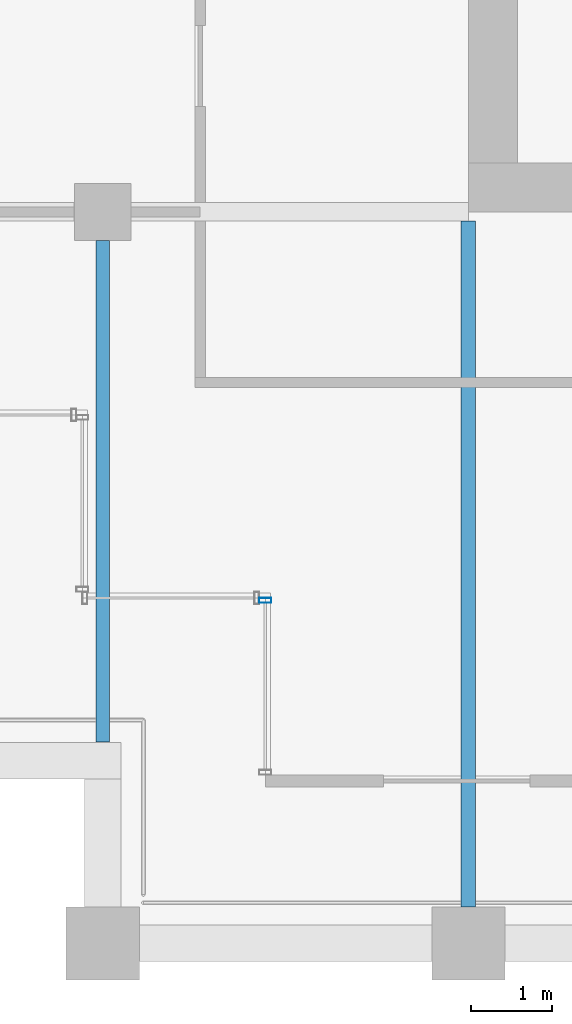
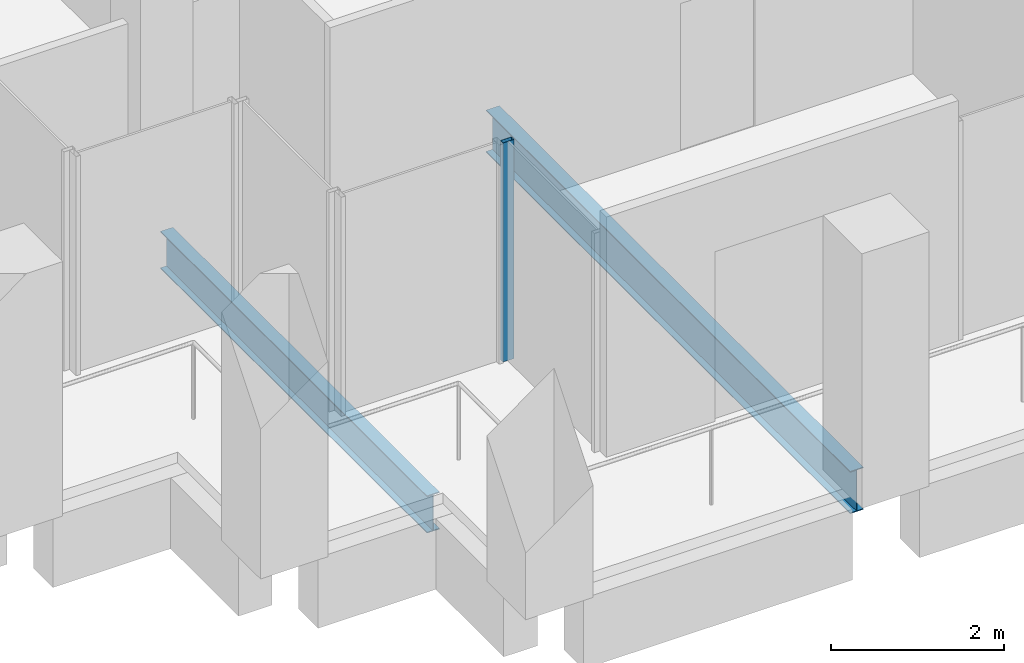
# One storey, part 29 of 40: 2 beams, 1 member, 1 element without a shape of its own.
"""IFC4 building model written with IfcOpenShell, lengths in metres."""

from ifc_helpers import new_model, si_unit, direction, frame, origin, origin_2d, place, context, subcontext, project, spatial, hollow_rectangle, i_section, extrude, material, material_profile, profile_set, type_object, element, aggregate, save


model = new_model("IFC4")

# Units and contexts
model_context = context("Model", 3, precision=1e-05, world=origin(), true_north=direction((0.0, 1.0)))
body_context = subcontext(model_context, "Body", "Model", "MODEL_VIEW")
ifc_project = project(units=[si_unit("LENGTHUNIT", "METRE"), si_unit("AREAUNIT", "SQUARE_METRE"), si_unit("VOLUMEUNIT", "CUBIC_METRE"), si_unit("PLANEANGLEUNIT", "RADIAN"), si_unit("MASSUNIT", "GRAM", prefix="KILO")], contexts=[model_context])

# Site, building, storey
site_placement = place(None, origin())
site = spatial("IfcSite", under=ifc_project, at=site_placement, CompositionType="ELEMENT")
building_placement = place(site_placement, origin())
building = spatial("IfcBuilding", under=site, at=building_placement, Name="Altepetl Exchange Towers", CompositionType="ELEMENT")
storey_placement = place(building_placement, frame((0.0, 0.0, 187.0)))
storey = spatial("IfcBuildingStorey", under=building, at=storey_placement, Name="L47", CompositionType="ELEMENT", Elevation=187.0)

# Beams
ifc_material_1 = material(Name="Steel S355", Category="steel")
ifc_material_profile_1 = material_profile(ifc_material_1, i_section(OverallWidth=0.166015625, OverallDepth=0.529052734375, WebThickness=0.009765625, FlangeThickness=0.013671875, at=origin_2d()), Name="W21X50")
ifc_profile_set_1 = profile_set([ifc_material_profile_1], Name="Steel S355")
beam_type_1 = type_object("IfcBeamType", Name="Floor beam W21X50", PredefinedType="BEAM", material=ifc_profile_set_1)
beam_1_placement = place(storey_placement, frame((99.0, 29.47509765625, -0.41455078125), z_axis=(0.0, 1.0, 0.0), x_axis=(-1.0, 0.0, 0.0)))
element("IfcBeam", 1, at=beam_1_placement, inside=storey, type_object=beam_type_1, Name="bm:B:L47:000", PredefinedType="BEAM", context=body_context, shape_type="SweptSolid", body=[
    extrude(i_section(OverallWidth=0.166015625, OverallDepth=0.529052734375, WebThickness=0.009765625, FlangeThickness=0.013671875, at=origin_2d()), origin(), (0.0, 0.0, 1.0), 6.1748046875),
])
ifc_material_profile_2 = material_profile(ifc_material_1, i_section(OverallWidth=0.177978515625, OverallDepth=0.59912109375, WebThickness=0.010009765625, FlangeThickness=0.0126953125, at=origin_2d()), Name="W24X55")
ifc_profile_set_2 = profile_set([ifc_material_profile_2], Name="Steel S355")
beam_type_2 = type_object("IfcBeamType", Name="Floor beam W24X55", PredefinedType="BEAM", material=ifc_profile_set_2)
beam_2_placement = place(storey_placement, frame((103.5, 27.449951171875, -0.449462890625), z_axis=(0.0, 1.0, 0.0), x_axis=(-1.0, 0.0, 0.0)))
element("IfcBeam", 2, at=beam_2_placement, inside=storey, type_object=beam_type_2, Name="bm:B:L47:001", PredefinedType="BEAM", context=body_context, shape_type="SweptSolid", body=[
    extrude(i_section(OverallWidth=0.177978515625, OverallDepth=0.59912109375, WebThickness=0.010009765625, FlangeThickness=0.0126953125, at=origin_2d()), origin(), (0.0, 0.0, 1.0), 8.43603515625),
])

# Curtain wall, member
ifc_material_2 = material(Name="Aluminium 6063-T6 glazing", Category="aluminium")
curtain_wall_type = type_object("IfcCurtainWallType", Name="Loggia glazing system", PredefinedType="NOTDEFINED", material=ifc_material_2)
curtain_wall_placement = place(storey_placement, origin())
curtain_wall = element("IfcCurtainWall", 3, at=curtain_wall_placement, inside=storey, type_object=curtain_wall_type, Name="CW1 run", PredefinedType="NOTDEFINED")
ifc_material_3 = material(Name="Aluminium 6063-T6", Category="aluminium")
ifc_material_profile_3 = material_profile(ifc_material_3, hollow_rectangle(XDim=0.06005859375, YDim=0.14990234375, WallThickness=0.0029296875, at=origin_2d()), Name="Mullion 60x150 aluminium")
ifc_profile_set_3 = profile_set([ifc_material_profile_3], Name="Aluminium 6063-T6")
member_type = type_object("IfcMemberType", Name="Mullion 60x150 aluminium", PredefinedType="MULLION", material=ifc_profile_set_3)
member_placement = place(storey_placement, frame((101.0, 31.219970703125, 0.0), z_axis=(0.0, 0.0, 1.0), x_axis=(0.0, -1.0, 0.0)))
member = element("IfcMember", 4, at=member_placement, type_object=member_type, Name="MU1 mullion", PredefinedType="MULLION", context=body_context, shape_type="SweptSolid", body=[
    extrude(hollow_rectangle(XDim=0.06005859375, YDim=0.14990234375, WallThickness=0.0029296875, at=origin_2d()), origin(), (0.0, 0.0, 1.0), 3.10009765625),
])
aggregate(curtain_wall, [member])

save(model, "model.ifc")
